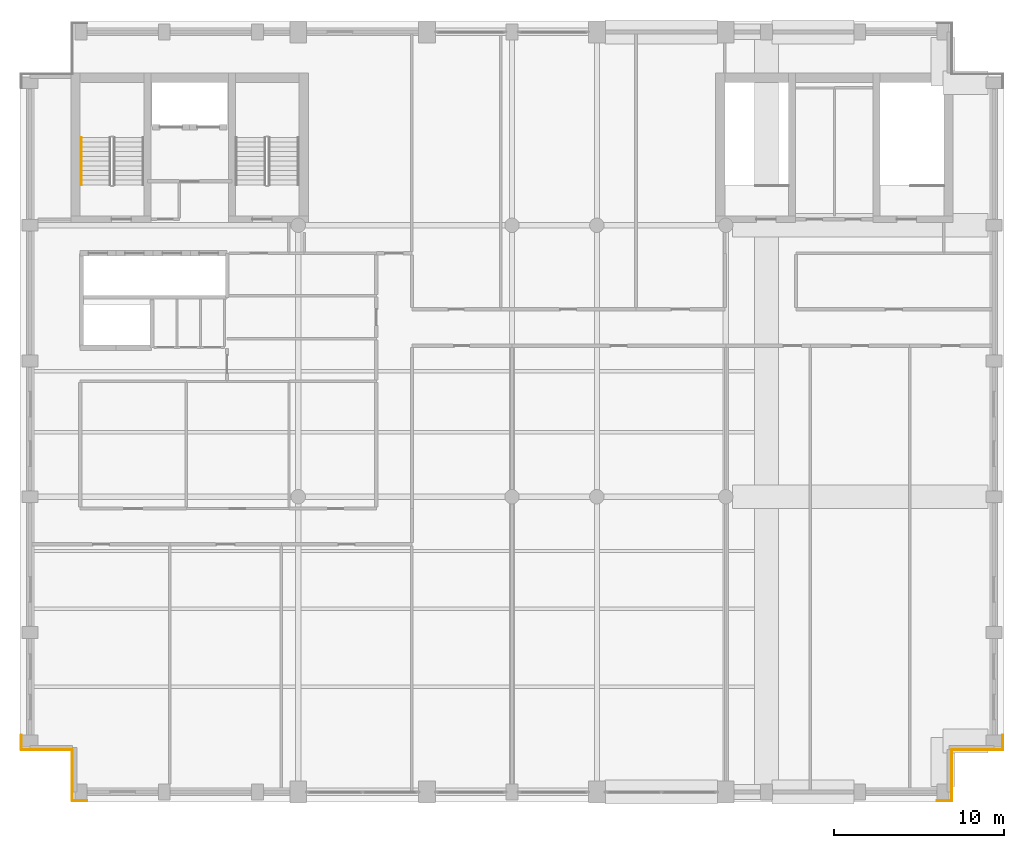
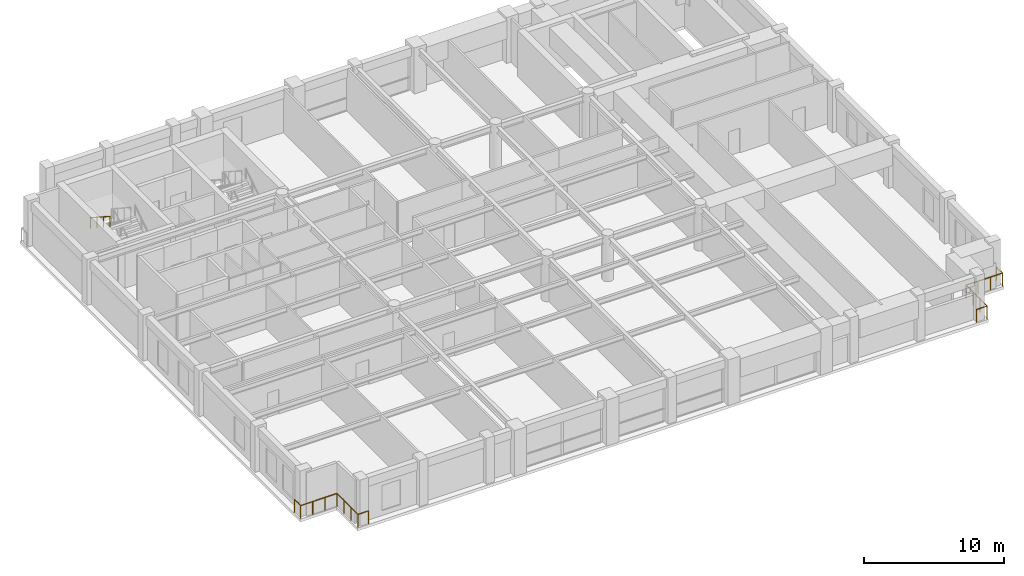
# One storey, part 12 of 14: 9 railings.
"""IFC4 building model written with IfcOpenShell, lengths in metres."""

import ifcopenshell
import ifcopenshell.guid

model = None  # the IFC model being written
_history = None  # IfcOwnerHistory: only IFC2X3 demands one
_inside = {}  # id of a spatial element -> (the spatial element, [elements in it])
_under = {}  # id of a project, library or spatial element -> (it, [spatial elements below it])
_declared = {}  # id of a project -> (the project, [libraries it declares])
_typed = {}  # id of a type object -> (the type object, [elements of that type])
_made_of = {}  # id of a material, layer set ... -> (it, [elements and type objects made of it])


def new_model(schema):
    """Start an empty IFC model of exactly this schema.

    Asked for "IFC4X3", IfcOpenShell would pick the latest addendum, in which some entities
    have other attributes; the version numbers below select the first issue.
    IFC2X3 requires an IfcOwnerHistory on every rooted entity: one is made here for all.
    """
    global model, _history
    if schema == "IFC4X3":
        model = ifcopenshell.file(schema_version=(4, 3, 0, 0))
    else:
        model = ifcopenshell.file(schema=schema)
    _inside.clear()
    _under.clear()
    _declared.clear()
    _typed.clear()
    _made_of.clear()
    _history = None
    if model.schema == "IFC2X3":
        org = make("IfcOrganization", Name="unknown")
        user = make(
            "IfcPersonAndOrganization",
            ThePerson=make("IfcPerson", FamilyName="unknown"),
            TheOrganization=org,
        )
        app = make(
            "IfcApplication",
            ApplicationDeveloper=org,
            Version="unknown",
            ApplicationFullName="unknown",
            ApplicationIdentifier="unknown",
        )
        _history = make(
            "IfcOwnerHistory",
            OwningUser=user,
            OwningApplication=app,
            ChangeAction="ADDED",
            CreationDate=0,
        )
    return model


def make(cls, **values):
    """One entity of the class cls with the attributes given. An attribute that is None is left unset."""
    return model.create_entity(
        cls, **{name: value for name, value in values.items() if value is not None}
    )


def rooted(cls, **values):
    """An entity with a GlobalId (a new one), such as an element, a storey or a relation."""
    return make(cls, GlobalId=ifcopenshell.guid.new(), OwnerHistory=_history, **values)


def si_unit(unit_type, name, prefix=None):
    """IfcSIUnit, for example si_unit("LENGTHUNIT", "METRE", prefix="MILLI")."""
    return make("IfcSIUnit", UnitType=unit_type, Prefix=prefix, Name=name)


def assignment(units):
    """IfcUnitAssignment: the units of a project."""
    return None if units is None else make("IfcUnitAssignment", Units=units)


def point(xyz):
    """IfcCartesianPoint."""
    return None if xyz is None else make("IfcCartesianPoint", Coordinates=xyz)


def direction(xyz):
    """IfcDirection."""
    return None if xyz is None else make("IfcDirection", DirectionRatios=xyz)


def frame(location, z_axis=None, x_axis=None):
    """IfcAxis2Placement3D, a coordinate frame: its origin and axes. An axis left out is left unset."""
    return make(
        "IfcAxis2Placement3D",
        Location=point(location),
        Axis=direction(z_axis),
        RefDirection=direction(x_axis),
    )


def frame_2d(location, x_axis=None):
    """IfcAxis2Placement2D, a coordinate frame in the plane: its origin and x axis."""
    return make(
        "IfcAxis2Placement2D", Location=point(location), RefDirection=direction(x_axis)
    )


def origin():
    """The frame at (0, 0, 0) with its axes left unset."""
    return frame((0.0, 0.0, 0.0))


def origin_2d():
    """The frame at (0, 0) in the plane with its x axis left unset."""
    return frame_2d((0.0, 0.0))


def place(relative_to, where):
    """IfcLocalPlacement: puts the frame where relative to a parent placement (None: the world)."""
    return make(
        "IfcLocalPlacement", PlacementRelTo=relative_to, RelativePlacement=where
    )


def context(
    kind, dimensions, precision=None, world=None, true_north=None, identifier=None
):
    """IfcGeometricRepresentationContext, for example the 3D "Model" context."""
    return make(
        "IfcGeometricRepresentationContext",
        ContextIdentifier=identifier,
        ContextType=kind,
        CoordinateSpaceDimension=dimensions,
        Precision=precision,
        WorldCoordinateSystem=world,
        TrueNorth=true_north,
    )


def subcontext(parent, identifier, kind, view, scale=None):
    """IfcGeometricRepresentationSubContext, for example "Body" below "Model"."""
    return make(
        "IfcGeometricRepresentationSubContext",
        ContextIdentifier=identifier,
        ContextType=kind,
        ParentContext=parent,
        TargetScale=scale,
        TargetView=view,
    )


def project(units=None, contexts=None):
    """IfcProject with its units and contexts."""
    return rooted(
        "IfcProject",
        Name="project",
        RepresentationContexts=contexts,
        UnitsInContext=assignment(units),
    )


def spatial(cls, under=None, at=None, **own):
    """A site, building, storey or space (cls), placed at a placement, below another one or the project."""
    s = rooted(cls, ObjectPlacement=at, **own)
    if under is not None:
        _under.setdefault(under.id(), (under, []))[1].append(s)
    return s


def profile(cls, at=None, kind="AREA", **sizes):
    """A parametric profile (cls). Its sizes go by their IFC names, for example OverallWidth=200.0."""
    return make(cls, ProfileType=kind, Position=at, **sizes)


def circle(**sizes):
    """IfcCircleProfileDef."""
    return profile("IfcCircleProfileDef", **sizes)


def extrude(swept, where, along, depth):
    """IfcExtrudedAreaSolid: the profile swept, set in the frame where, extruded along a direction by depth."""
    return make(
        "IfcExtrudedAreaSolid",
        SweptArea=swept,
        Position=where,
        ExtrudedDirection=direction(along),
        Depth=depth,
    )


def shape(context_of_items, identifier, shape_type, items):
    """IfcShapeRepresentation: the items that make up one representation, for example the "Body"."""
    return make(
        "IfcShapeRepresentation",
        ContextOfItems=context_of_items,
        RepresentationIdentifier=identifier,
        RepresentationType=shape_type,
        Items=items,
    )


def material(Name=None, Category=None):
    """IfcMaterial."""
    return make("IfcMaterial", Name=Name, Category=Category)


def made_of(thing, what):
    """Note that an element or type object is made of a material, layer set ...; save() writes the relation."""
    if what is not None:
        _made_of.setdefault(what.id(), (what, []))[1].append(thing)
    return thing


def type_object(cls, material=None, **own):
    """A type object (cls), such as IfcWallType, which elements share."""
    return made_of(rooted(cls, **own), material)


def element(
    cls,
    number,
    at=None,
    inside=None,
    cuts=None,
    type_object=None,
    material=None,
    context=None,
    identifier="Body",
    shape_type=None,
    held_by="IfcProductDefinitionShape",
    body=None,
    shapes=None,
    **own,
):
    """One element of the class cls, such as IfcWall. Its Tag is "e" and its number.

    at: its placement. inside: the storey or other place that contains it. cuts: it is an
    opening in that element (IfcRelVoidsElement). A single representation is given by context,
    identifier, shape_type and body (its items); several are given by shapes. held_by: the class
    of the entity that holds the representations. save() writes the other relations.
    """
    e = rooted(cls, Tag="e%d" % number, ObjectPlacement=at, **own)
    if body is not None:
        shapes = [shape(context, identifier, shape_type, body)]
    if shapes is not None:
        e.Representation = make(held_by, Representations=shapes)
    if inside is not None:
        _inside.setdefault(inside.id(), (inside, []))[1].append(e)
    if cuts is not None:
        rooted(
            "IfcRelVoidsElement", RelatingBuildingElement=cuts, RelatedOpeningElement=e
        )
    if type_object is not None:
        _typed.setdefault(type_object.id(), (type_object, []))[1].append(e)
    return made_of(e, material)


def aggregate(whole, parts):
    """IfcRelAggregates: a whole, such as a stair, and the parts it consists of."""
    return rooted("IfcRelAggregates", RelatingObject=whole, RelatedObjects=parts)


def save(model, path):
    """Write the relations noted so far, then the file.

    IfcRelAggregates (storeys below a building ...), IfcRelContainedInSpatialStructure (elements
    in a storey), IfcRelDefinesByType, IfcRelAssociatesMaterial and IfcRelDeclares: one each for
    every whole, place, type object, material and project.
    """
    for whole, parts in _under.values():
        aggregate(whole, parts)
    for where, things in _inside.values():
        rooted(
            "IfcRelContainedInSpatialStructure",
            RelatedElements=things,
            RelatingStructure=where,
        )
    for kind, things in _typed.values():
        rooted("IfcRelDefinesByType", RelatedObjects=things, RelatingType=kind)
    for what, things in _made_of.values():
        rooted("IfcRelAssociatesMaterial", RelatedObjects=things, RelatingMaterial=what)
    for by, libraries in _declared.values():
        rooted("IfcRelDeclares", RelatingContext=by, RelatedDefinitions=libraries)
    model.write(path)


model = new_model("IFC4")

# Units and contexts
model_context = context("Model", 3, precision=1e-05, world=origin(), true_north=direction((0.0, 1.0)))
body_context = subcontext(model_context, "Body", "Model", "MODEL_VIEW")
ifc_project = project(units=[si_unit("LENGTHUNIT", "METRE"), si_unit("AREAUNIT", "SQUARE_METRE"), si_unit("VOLUMEUNIT", "CUBIC_METRE"), si_unit("PLANEANGLEUNIT", "RADIAN"), si_unit("MASSUNIT", "GRAM", prefix="KILO")], contexts=[model_context])

# Site, building, storey
site_placement = place(None, origin())
site = spatial("IfcSite", under=ifc_project, at=site_placement, CompositionType="ELEMENT")
building_placement = place(site_placement, origin())
building = spatial("IfcBuilding", under=site, at=building_placement, Name="Sulina Concourse Tower", CompositionType="ELEMENT")
storey_placement = place(building_placement, frame((0.0, 0.0, 285.0)))
storey = spatial("IfcBuildingStorey", under=building, at=storey_placement, Name="L69", CompositionType="ELEMENT", Elevation=285.0)

# Railings
ifc_material_1 = material(Name="Galvanised steel railing", Category="steel")
railing_type_1 = type_object("IfcRailingType", Name="Core Stair Steel Guardrail 1150mm", PredefinedType="GUARDRAIL", material=ifc_material_1)
railing_1_placement = place(storey_placement, frame((57.919921875, 3.949951171875, 0.0)))
element("IfcRailing", 1, at=railing_1_placement, inside=storey, type_object=railing_type_1, Name="L69 perimeter edge safety guardrail SE1", PredefinedType="GUARDRAIL", context=body_context, shape_type="SweptSolid", body=[
    extrude(circle(Radius=0.02392578125, at=origin_2d()), frame((0.0, 0.0, 1.1259765625), z_axis=(0.0, -1.0, 0.0), x_axis=(1.0, 0.0, 0.0)), (0.0, 0.0, 1.0), 0.869873046875),
    extrude(circle(Radius=0.02099609375, at=origin_2d()), origin(), (0.0, 0.0, 1.0), 1.101806640625),
    extrude(circle(Radius=0.02099609375, at=origin_2d()), frame((0.0, -0.869873046875, 0.0)), (0.0, 0.0, 1.0), 1.101806640625),
])
railing_2_placement = place(storey_placement, frame((57.919921875, 3.080078125, 0.0)))
element("IfcRailing", 2, at=railing_2_placement, inside=storey, type_object=railing_type_1, Name="L69 perimeter edge safety guardrail SE2", PredefinedType="GUARDRAIL", context=body_context, shape_type="SweptSolid", body=[
    extrude(circle(Radius=0.02392578125, at=origin_2d()), frame((0.0, 0.0, 1.1259765625), z_axis=(-1.0, 0.0, 0.0), x_axis=(0.0, -1.0, 0.0)), (0.0, 0.0, 1.0), 3.0),
    extrude(circle(Radius=0.02099609375, at=origin_2d()), origin(), (0.0, 0.0, 1.0), 1.101806640625),
    extrude(circle(Radius=0.02099609375, at=origin_2d()), frame((-1.0, 0.0, 0.0)), (0.0, 0.0, 1.0), 1.101806640625),
    extrude(circle(Radius=0.02099609375, at=origin_2d()), frame((-2.0, 0.0, 0.0)), (0.0, 0.0, 1.0), 1.101806640625),
    extrude(circle(Radius=0.02099609375, at=origin_2d()), frame((-3.0, 0.0, 0.0)), (0.0, 0.0, 1.0), 1.101806640625),
])
railing_3_placement = place(storey_placement, frame((54.919921875, 3.080078125, 0.0)))
element("IfcRailing", 3, at=railing_3_placement, inside=storey, type_object=railing_type_1, Name="L69 perimeter edge safety guardrail SE3", PredefinedType="GUARDRAIL", context=body_context, shape_type="SweptSolid", body=[
    extrude(circle(Radius=0.02392578125, at=origin_2d()), frame((0.0, 0.0, 1.1259765625), z_axis=(0.0, -1.0, 0.0), x_axis=(1.0, 0.0, 0.0)), (0.0, 0.0, 1.0), 3.0),
    extrude(circle(Radius=0.02099609375, at=origin_2d()), origin(), (0.0, 0.0, 1.0), 1.101806640625),
    extrude(circle(Radius=0.02099609375, at=origin_2d()), frame((0.0, -1.0, 0.0)), (0.0, 0.0, 1.0), 1.101806640625),
    extrude(circle(Radius=0.02099609375, at=origin_2d()), frame((0.0, -2.0, 0.0)), (0.0, 0.0, 1.0), 1.101806640625),
    extrude(circle(Radius=0.02099609375, at=origin_2d()), frame((0.0, -3.0, 0.0)), (0.0, 0.0, 1.0), 1.101806640625),
])
for number, where, name in (
    (4, (54.919921875, 0.080078125, 0.0), "L69 perimeter edge safety guardrail SE4"),
    (5, (3.949951171875, 0.080078125, 0.0), "L69 perimeter edge safety guardrail SW1"),
):
    element("IfcRailing", number, at=place(storey_placement, frame(where)), inside=storey, type_object=railing_type_1, Name=name, PredefinedType="GUARDRAIL", context=body_context, shape_type="SweptSolid", body=[
        extrude(circle(Radius=0.02392578125, at=origin_2d()), frame((0.0, 0.0, 1.1259765625), z_axis=(-1.0, 0.0, 0.0), x_axis=(0.0, -1.0, 0.0)), (0.0, 0.0, 1.0), 0.869873046875),
        extrude(circle(Radius=0.02099609375, at=origin_2d()), origin(), (0.0, 0.0, 1.0), 1.101806640625),
        extrude(circle(Radius=0.02099609375, at=origin_2d()), frame((-0.869873046875, 0.0, 0.0)), (0.0, 0.0, 1.0), 1.101806640625),
    ])
railing_4_placement = place(storey_placement, frame((3.080078125, 0.080078125, 0.0)))
element("IfcRailing", 6, at=railing_4_placement, inside=storey, type_object=railing_type_1, Name="L69 perimeter edge safety guardrail SW2", PredefinedType="GUARDRAIL", context=body_context, shape_type="SweptSolid", body=[
    extrude(circle(Radius=0.02392578125, at=origin_2d()), frame((0.0, 0.0, 1.1259765625), z_axis=(0.0, 1.0, 0.0), x_axis=(-1.0, 0.0, 0.0)), (0.0, 0.0, 1.0), 3.0),
    extrude(circle(Radius=0.02099609375, at=origin_2d()), origin(), (0.0, 0.0, 1.0), 1.101806640625),
    extrude(circle(Radius=0.02099609375, at=origin_2d()), frame((0.0, 1.0, 0.0)), (0.0, 0.0, 1.0), 1.101806640625),
    extrude(circle(Radius=0.02099609375, at=origin_2d()), frame((0.0, 2.0, 0.0)), (0.0, 0.0, 1.0), 1.101806640625),
    extrude(circle(Radius=0.02099609375, at=origin_2d()), frame((0.0, 3.0, 0.0)), (0.0, 0.0, 1.0), 1.101806640625),
])
railing_5_placement = place(storey_placement, frame((3.080078125, 3.080078125, 0.0)))
element("IfcRailing", 7, at=railing_5_placement, inside=storey, type_object=railing_type_1, Name="L69 perimeter edge safety guardrail SW3", PredefinedType="GUARDRAIL", context=body_context, shape_type="SweptSolid", body=[
    extrude(circle(Radius=0.02392578125, at=origin_2d()), frame((0.0, 0.0, 1.1259765625), z_axis=(-1.0, 0.0, 0.0), x_axis=(0.0, -1.0, 0.0)), (0.0, 0.0, 1.0), 3.0),
    extrude(circle(Radius=0.02099609375, at=origin_2d()), origin(), (0.0, 0.0, 1.0), 1.101806640625),
    extrude(circle(Radius=0.02099609375, at=origin_2d()), frame((-1.0, 0.0, 0.0)), (0.0, 0.0, 1.0), 1.101806640625),
    extrude(circle(Radius=0.02099609375, at=origin_2d()), frame((-2.0, 0.0, 0.0)), (0.0, 0.0, 1.0), 1.101806640625),
    extrude(circle(Radius=0.02099609375, at=origin_2d()), frame((-3.0, 0.0, 0.0)), (0.0, 0.0, 1.0), 1.101806640625),
])
railing_6_placement = place(storey_placement, frame((0.080078125, 3.080078125, 0.0)))
element("IfcRailing", 8, at=railing_6_placement, inside=storey, type_object=railing_type_1, Name="L69 perimeter edge safety guardrail SW4", PredefinedType="GUARDRAIL", context=body_context, shape_type="SweptSolid", body=[
    extrude(circle(Radius=0.02392578125, at=origin_2d()), frame((0.0, 0.0, 1.1259765625), z_axis=(0.0, 1.0, 0.0), x_axis=(-1.0, 0.0, 0.0)), (0.0, 0.0, 1.0), 0.869873046875),
    extrude(circle(Radius=0.02099609375, at=origin_2d()), origin(), (0.0, 0.0, 1.0), 1.101806640625),
    extrude(circle(Radius=0.02099609375, at=origin_2d()), frame((0.0, 0.869873046875, 0.0)), (0.0, 0.0, 1.0), 1.101806640625),
])
ifc_material_2 = material(Name="Galvanised steel railing", Category="steel")
railing_type_2 = type_object("IfcRailingType", Name="Stair Wall Steel Handrail 920mm", PredefinedType="HANDRAIL", material=ifc_material_2)
railing_7_placement = place(storey_placement, frame((3.60498046875, 39.175048828125, 2.181884765625)))
element("IfcRailing", 9, at=railing_7_placement, inside=storey, type_object=railing_type_2, Name="L69 ST-1 stair handrail 2", PredefinedType="HANDRAIL", context=body_context, shape_type="SweptSolid", body=[
    extrude(circle(Radius=0.02392578125, at=origin_2d()), frame((0.0, 0.0, 0.89599609375), z_axis=(0.0, -0.838705829183, 0.544584733623), x_axis=(1.0, 0.0, 0.0)), (0.0, 0.0, 1.0), 3.338623046875),
    extrude(circle(Radius=0.02099609375, at=origin_2d()), origin(), (0.0, 0.0, 1.0), 0.871826171875),
    extrude(circle(Radius=0.02099609375, at=origin_2d()), frame((0.0, -0.933349609375, 0.60595703125)), (0.0, 0.0, 1.0), 0.871826171875),
    extrude(circle(Radius=0.02099609375, at=origin_2d()), frame((0.0, -1.86669921875, 1.212158203125)), (0.0, 0.0, 1.0), 0.871826171875),
    extrude(circle(Radius=0.02099609375, at=origin_2d()), frame((0.0, -2.800048828125, 1.818115234375)), (0.0, 0.0, 1.0), 0.871826171875),
])

save(model, "model.ifc")
